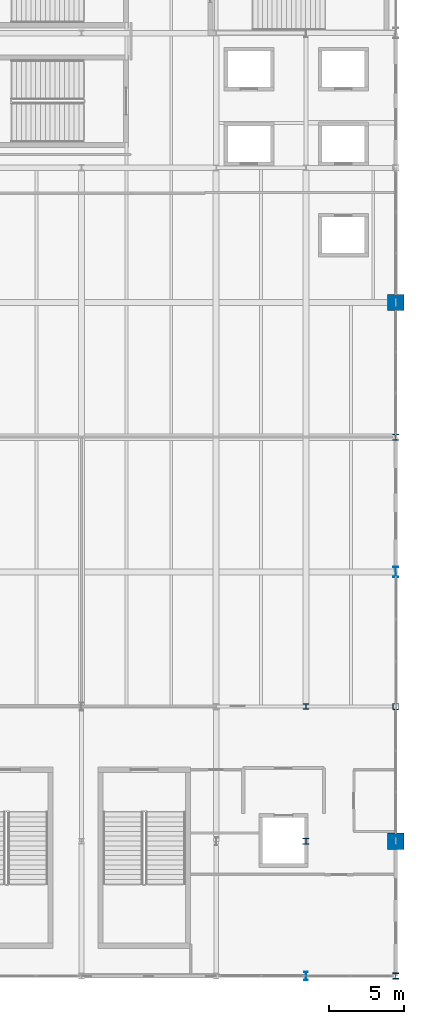
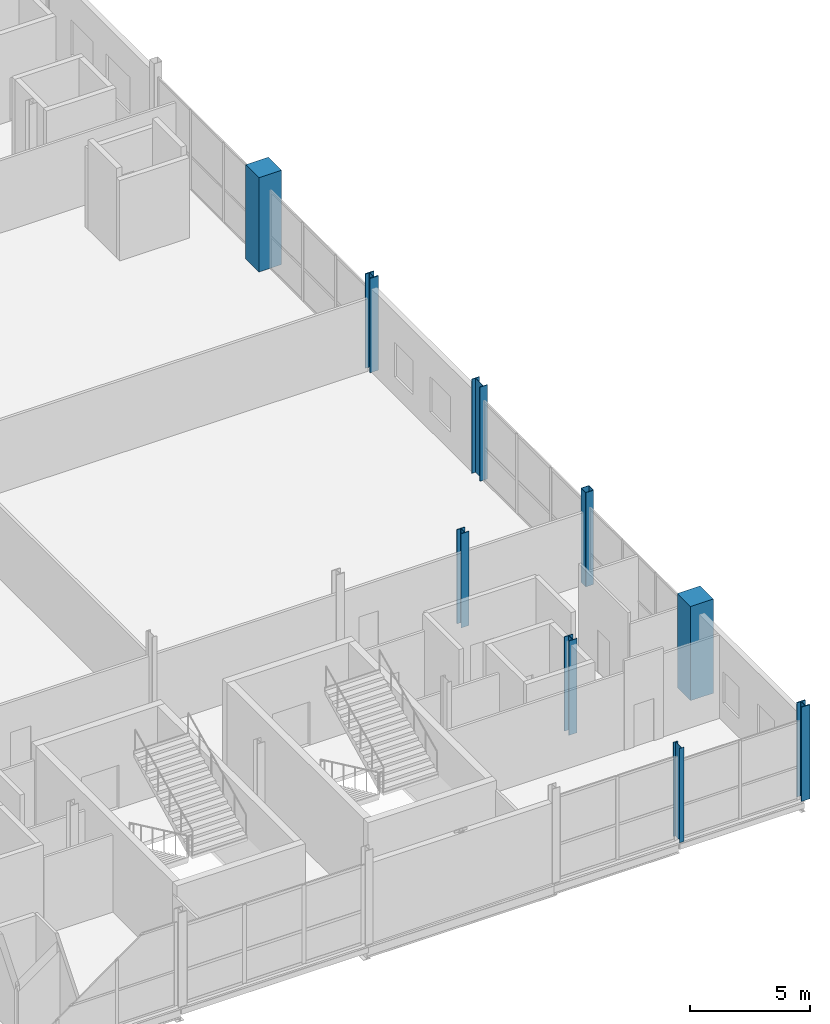
# One storey, part 3 of 50: 9 columns.
"""IFC4 building model written with IfcOpenShell, lengths in metres."""

from ifc_helpers import new_model, si_unit, direction, frame, origin, origin_2d, place, context, subcontext, project, spatial, rectangle, hollow_rectangle, i_section, extrude, material, material_profile, profile_set, type_object, element, save


model = new_model("IFC4")

# Units and contexts
model_context = context("Model", 3, precision=1e-05, world=origin(), true_north=direction((0.0, 1.0)))
body_context = subcontext(model_context, "Body", "Model", "MODEL_VIEW")
ifc_project = project(units=[si_unit("LENGTHUNIT", "METRE"), si_unit("AREAUNIT", "SQUARE_METRE"), si_unit("VOLUMEUNIT", "CUBIC_METRE"), si_unit("PLANEANGLEUNIT", "RADIAN"), si_unit("MASSUNIT", "GRAM", prefix="KILO")], contexts=[model_context])

# Site, building, storey
site_placement = place(None, origin())
site = spatial("IfcSite", under=ifc_project, at=site_placement, CompositionType="ELEMENT")
building_placement = place(site_placement, origin())
building = spatial("IfcBuilding", under=site, at=building_placement, Name="Qamarlyn Nura Convention Centre", CompositionType="ELEMENT")
storey_placement = place(building_placement, frame((0.0, 0.0, 20.39990234375)))
storey = spatial("IfcBuildingStorey", under=building, at=storey_placement, Name="L04", CompositionType="ELEMENT", Elevation=20.39990234375)

# Columns
ifc_material_1 = material(Name="Steel ASTM A500 Grade C", Category="steel")
ifc_material_profile_1 = material_profile(ifc_material_1, hollow_rectangle(XDim=0.39990234375, YDim=0.39990234375, WallThickness=0.01611328125, InnerFilletRadius=0.01611328125, OuterFilletRadius=0.031982421875, at=origin_2d()), Name="HSS400X400X16")
ifc_profile_set_1 = profile_set([ifc_material_profile_1], Name="Steel ASTM A500 Grade C")
column_type_1 = type_object("IfcColumnType", Name="COL-HSS-1", PredefinedType="COLUMN", material=ifc_profile_set_1)
column_1_placement = place(storey_placement, frame((192.0, 18.0, 0.0), z_axis=(0.0, 0.0, 1.0), x_axis=(1.0, 0.0, 0.0)))
element("IfcColumn", 1, at=column_1_placement, inside=storey, type_object=column_type_1, Name="L04 column 18/C", PredefinedType="COLUMN", context=body_context, shape_type="SweptSolid", body=[
    extrude(hollow_rectangle(XDim=0.39990234375, YDim=0.39990234375, WallThickness=0.01611328125, InnerFilletRadius=0.01611328125, OuterFilletRadius=0.031982421875, at=origin_2d()), origin(), (0.0, 0.0, 1.0), 4.800048828125),
])
ifc_material_2 = material(Name="Steel ASTM A992", Category="steel")
ifc_material_profile_2 = material_profile(ifc_material_2, i_section(OverallWidth=0.408935546875, OverallDepth=0.425048828125, WebThickness=0.030517578125, FlangeThickness=0.049072265625, FilletRadius=0.02001953125, at=origin_2d()), Name="W360X421")
ifc_profile_set_2 = profile_set([ifc_material_profile_2], Name="Steel ASTM A992")
column_type_2 = type_object("IfcColumnType", Name="COL-MEGA-1", PredefinedType="COLUMN", material=ifc_profile_set_2)
for number, where, z_axis, x_axis, name in (
    (2, (192.0, 0.0, 0.0), (0.0, 0.0, 1.0), (1.0, 0.0, 0.0), "L04 column 18/A"),
    (3, (192.0, 36.0, 0.0), (0.0, 0.0, 1.0), (1.0, 0.0, 0.0), "L04 column 18/E"),
):
    element("IfcColumn", number, at=place(storey_placement, frame(where, z_axis=z_axis, x_axis=x_axis)), inside=storey, type_object=column_type_2, Name=name, PredefinedType="COLUMN", context=body_context, shape_type="SweptSolid", body=[
        extrude(i_section(OverallWidth=0.408935546875, OverallDepth=0.425048828125, WebThickness=0.030517578125, FlangeThickness=0.049072265625, FilletRadius=0.02001953125, at=origin_2d()), origin(), (0.0, 0.0, 1.0), 4.800048828125),
    ])
ifc_material_3 = material(Name="Concrete C50/60", Category="concrete")
ifc_material_profile_3 = material_profile(ifc_material_3, rectangle(XDim=1.10009765625, YDim=1.10009765625, at=origin_2d()), Name="RC 1100x1100")
ifc_profile_set_3 = profile_set([ifc_material_profile_3], Name="Concrete C50/60")
column_type_3 = type_object("IfcColumnType", Name="COL-MEGA-2", PredefinedType="COLUMN", material=ifc_profile_set_3)
for number, where, z_axis, x_axis, name in (
    (4, (192.0, 9.0, 0.0), (0.0, 0.0, 1.0), (1.0, 0.0, 0.0), "L04 column 18/B"),
    (5, (192.0, 45.0, 0.0), (0.0, 0.0, 1.0), (1.0, 0.0, 0.0), "L04 column 18/F"),
):
    element("IfcColumn", number, at=place(storey_placement, frame(where, z_axis=z_axis, x_axis=x_axis)), inside=storey, type_object=column_type_3, Name=name, PredefinedType="COLUMN", context=body_context, shape_type="SweptSolid", body=[
        extrude(rectangle(XDim=1.10009765625, YDim=1.10009765625, at=origin_2d()), origin(), (0.0, 0.0, 1.0), 4.800048828125),
    ])
ifc_material_profile_4 = material_profile(ifc_material_2, i_section(OverallWidth=0.39892578125, OverallDepth=0.39306640625, WebThickness=0.022705078125, FlangeThickness=0.03662109375, FilletRadius=0.01806640625, at=origin_2d()), Name="W360X287")
ifc_profile_set_4 = profile_set([ifc_material_profile_4], Name="Steel ASTM A992")
column_type_4 = type_object("IfcColumnType", Name="COL-WING-1", PredefinedType="COLUMN", material=ifc_profile_set_4)
column_2_placement = place(storey_placement, frame((186.0, 9.0, 0.0), z_axis=(0.0, 0.0, 1.0), x_axis=(1.0, 0.0, 0.0)))
element("IfcColumn", 6, at=column_2_placement, inside=storey, type_object=column_type_4, Name="L04 column 17/B", PredefinedType="COLUMN", context=body_context, shape_type="SweptSolid", body=[
    extrude(i_section(OverallWidth=0.39892578125, OverallDepth=0.39306640625, WebThickness=0.022705078125, FlangeThickness=0.03662109375, FilletRadius=0.01806640625, at=origin_2d()), origin(), (0.0, 0.0, 1.0), 4.800048828125),
])
ifc_material_profile_5 = material_profile(ifc_material_2, i_section(OverallWidth=0.3740234375, OverallDepth=0.3720703125, WebThickness=0.016357421875, FlangeThickness=0.026123046875, FilletRadius=0.01611328125, at=origin_2d()), Name="W360X196")
ifc_profile_set_5 = profile_set([ifc_material_profile_5], Name="Steel ASTM A992")
column_type_5 = type_object("IfcColumnType", Name="COL-WING-2", PredefinedType="COLUMN", material=ifc_profile_set_5)
column_3_placement = place(storey_placement, frame((186.0, 18.0, 0.0), z_axis=(0.0, 0.0, 1.0), x_axis=(1.0, 0.0, 0.0)))
element("IfcColumn", 7, at=column_3_placement, inside=storey, type_object=column_type_5, Name="L04 column 17/C", PredefinedType="COLUMN", context=body_context, shape_type="SweptSolid", body=[
    extrude(i_section(OverallWidth=0.3740234375, OverallDepth=0.3720703125, WebThickness=0.016357421875, FlangeThickness=0.026123046875, FilletRadius=0.01611328125, at=origin_2d()), origin(), (0.0, 0.0, 1.0), 4.800048828125),
])
ifc_material_profile_6 = material_profile(ifc_material_2, i_section(OverallWidth=0.35498046875, OverallDepth=0.695068359375, WebThickness=0.015380859375, FlangeThickness=0.02490234375, FilletRadius=0.01806640625, at=origin_2d()), Name="W690X217")
ifc_profile_set_6 = profile_set([ifc_material_profile_6], Name="Steel ASTM A992")
column_type_6 = type_object("IfcColumnType", Name="COL-WING-5", PredefinedType="COLUMN", material=ifc_profile_set_6)
column_4_placement = place(storey_placement, frame((192.0, 27.0, 0.0), z_axis=(0.0, 0.0, 1.0), x_axis=(1.0, 0.0, 0.0)))
element("IfcColumn", 8, at=column_4_placement, inside=storey, type_object=column_type_6, Name="L04 column 18/D", PredefinedType="COLUMN", context=body_context, shape_type="SweptSolid", body=[
    extrude(i_section(OverallWidth=0.35498046875, OverallDepth=0.695068359375, WebThickness=0.015380859375, FlangeThickness=0.02490234375, FilletRadius=0.01806640625, at=origin_2d()), origin(), (0.0, 0.0, 1.0), 4.800048828125),
])
ifc_material_profile_7 = material_profile(ifc_material_2, i_section(OverallWidth=0.2109375, OverallDepth=0.5390625, WebThickness=0.01171875, FlangeThickness=0.018798828125, FilletRadius=0.013916015625, at=origin_2d()), Name="W530X109")
ifc_profile_set_7 = profile_set([ifc_material_profile_7], Name="Steel ASTM A992")
column_type_7 = type_object("IfcColumnType", Name="COL-WING-7", PredefinedType="COLUMN", material=ifc_profile_set_7)
column_5_placement = place(storey_placement, frame((186.0, 0.0, 0.0), z_axis=(0.0, 0.0, 1.0), x_axis=(1.0, 0.0, 0.0)))
element("IfcColumn", 9, at=column_5_placement, inside=storey, type_object=column_type_7, Name="L04 column 17/A", PredefinedType="COLUMN", context=body_context, shape_type="SweptSolid", body=[
    extrude(i_section(OverallWidth=0.2109375, OverallDepth=0.5390625, WebThickness=0.01171875, FlangeThickness=0.018798828125, FilletRadius=0.013916015625, at=origin_2d()), origin(), (0.0, 0.0, 1.0), 4.800048828125),
])

save(model, "model.ifc")
